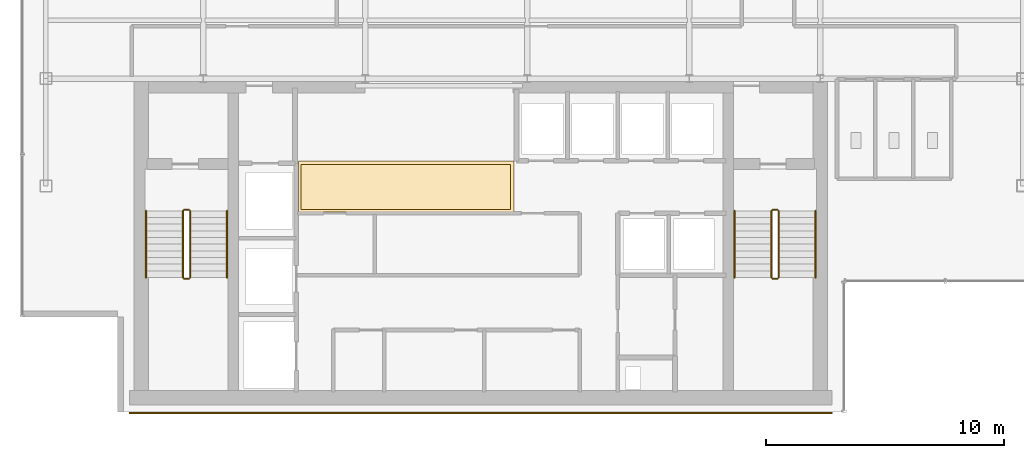
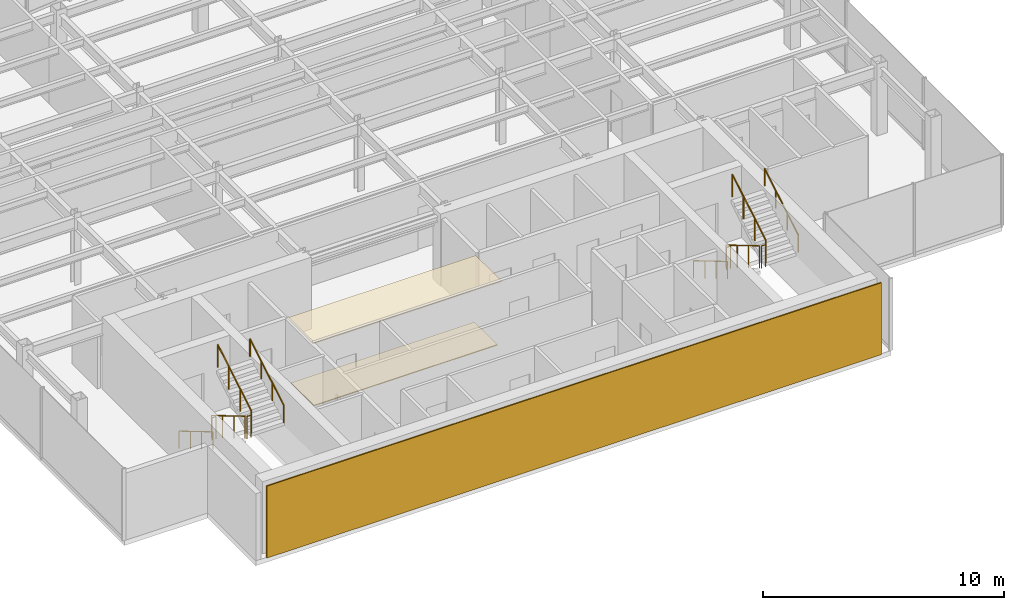
# One storey, part 20 of 22: 12 railings, 3 coverings.
"""IFC4 building model written with IfcOpenShell, lengths in metres."""

import ifcopenshell
import ifcopenshell.guid

model = None  # the IFC model being written
_history = None  # IfcOwnerHistory: only IFC2X3 demands one
_inside = {}  # id of a spatial element -> (the spatial element, [elements in it])
_under = {}  # id of a project, library or spatial element -> (it, [spatial elements below it])
_declared = {}  # id of a project -> (the project, [libraries it declares])
_typed = {}  # id of a type object -> (the type object, [elements of that type])
_made_of = {}  # id of a material, layer set ... -> (it, [elements and type objects made of it])


def new_model(schema):
    """Start an empty IFC model of exactly this schema.

    Asked for "IFC4X3", IfcOpenShell would pick the latest addendum, in which some entities
    have other attributes; the version numbers below select the first issue.
    IFC2X3 requires an IfcOwnerHistory on every rooted entity: one is made here for all.
    """
    global model, _history
    if schema == "IFC4X3":
        model = ifcopenshell.file(schema_version=(4, 3, 0, 0))
    else:
        model = ifcopenshell.file(schema=schema)
    _inside.clear()
    _under.clear()
    _declared.clear()
    _typed.clear()
    _made_of.clear()
    _history = None
    if model.schema == "IFC2X3":
        org = make("IfcOrganization", Name="unknown")
        user = make(
            "IfcPersonAndOrganization",
            ThePerson=make("IfcPerson", FamilyName="unknown"),
            TheOrganization=org,
        )
        app = make(
            "IfcApplication",
            ApplicationDeveloper=org,
            Version="unknown",
            ApplicationFullName="unknown",
            ApplicationIdentifier="unknown",
        )
        _history = make(
            "IfcOwnerHistory",
            OwningUser=user,
            OwningApplication=app,
            ChangeAction="ADDED",
            CreationDate=0,
        )
    return model


def make(cls, **values):
    """One entity of the class cls with the attributes given. An attribute that is None is left unset."""
    return model.create_entity(
        cls, **{name: value for name, value in values.items() if value is not None}
    )


def rooted(cls, **values):
    """An entity with a GlobalId (a new one), such as an element, a storey or a relation."""
    return make(cls, GlobalId=ifcopenshell.guid.new(), OwnerHistory=_history, **values)


def si_unit(unit_type, name, prefix=None):
    """IfcSIUnit, for example si_unit("LENGTHUNIT", "METRE", prefix="MILLI")."""
    return make("IfcSIUnit", UnitType=unit_type, Prefix=prefix, Name=name)


def derived_unit(unit_type, elements):
    """IfcDerivedUnit: a product of units, each with its exponent."""
    return make(
        "IfcDerivedUnit",
        Elements=[
            make("IfcDerivedUnitElement", Unit=unit, Exponent=power)
            for unit, power in elements
        ],
        UnitType=unit_type,
    )


def assignment(units):
    """IfcUnitAssignment: the units of a project."""
    return None if units is None else make("IfcUnitAssignment", Units=units)


def point(xyz):
    """IfcCartesianPoint."""
    return None if xyz is None else make("IfcCartesianPoint", Coordinates=xyz)


def direction(xyz):
    """IfcDirection."""
    return None if xyz is None else make("IfcDirection", DirectionRatios=xyz)


def frame(location, z_axis=None, x_axis=None):
    """IfcAxis2Placement3D, a coordinate frame: its origin and axes. An axis left out is left unset."""
    return make(
        "IfcAxis2Placement3D",
        Location=point(location),
        Axis=direction(z_axis),
        RefDirection=direction(x_axis),
    )


def frame_2d(location, x_axis=None):
    """IfcAxis2Placement2D, a coordinate frame in the plane: its origin and x axis."""
    return make(
        "IfcAxis2Placement2D", Location=point(location), RefDirection=direction(x_axis)
    )


def origin():
    """The frame at (0, 0, 0) with its axes left unset."""
    return frame((0.0, 0.0, 0.0))


def origin_2d():
    """The frame at (0, 0) in the plane with its x axis left unset."""
    return frame_2d((0.0, 0.0))


def place(relative_to, where):
    """IfcLocalPlacement: puts the frame where relative to a parent placement (None: the world)."""
    return make(
        "IfcLocalPlacement", PlacementRelTo=relative_to, RelativePlacement=where
    )


def context(
    kind, dimensions, precision=None, world=None, true_north=None, identifier=None
):
    """IfcGeometricRepresentationContext, for example the 3D "Model" context."""
    return make(
        "IfcGeometricRepresentationContext",
        ContextIdentifier=identifier,
        ContextType=kind,
        CoordinateSpaceDimension=dimensions,
        Precision=precision,
        WorldCoordinateSystem=world,
        TrueNorth=true_north,
    )


def subcontext(parent, identifier, kind, view, scale=None):
    """IfcGeometricRepresentationSubContext, for example "Body" below "Model"."""
    return make(
        "IfcGeometricRepresentationSubContext",
        ContextIdentifier=identifier,
        ContextType=kind,
        ParentContext=parent,
        TargetScale=scale,
        TargetView=view,
    )


def project(units=None, contexts=None):
    """IfcProject with its units and contexts."""
    return rooted(
        "IfcProject",
        Name="project",
        RepresentationContexts=contexts,
        UnitsInContext=assignment(units),
    )


def spatial(cls, under=None, at=None, **own):
    """A site, building, storey or space (cls), placed at a placement, below another one or the project."""
    s = rooted(cls, ObjectPlacement=at, **own)
    if under is not None:
        _under.setdefault(under.id(), (under, []))[1].append(s)
    return s


def polyline(points):
    """IfcPolyline through the points."""
    return make("IfcPolyline", Points=[point(p) for p in points])


def profile(cls, at=None, kind="AREA", **sizes):
    """A parametric profile (cls). Its sizes go by their IFC names, for example OverallWidth=200.0."""
    return make(cls, ProfileType=kind, Position=at, **sizes)


def rectangle(**sizes):
    """IfcRectangleProfileDef."""
    return profile("IfcRectangleProfileDef", **sizes)


def circle(**sizes):
    """IfcCircleProfileDef."""
    return profile("IfcCircleProfileDef", **sizes)


def outline(outer, holes=None, kind="AREA"):
    """IfcArbitraryClosedProfileDef: a profile drawn as a closed curve; with holes, ...WithVoids."""
    if holes is None:
        return make("IfcArbitraryClosedProfileDef", ProfileType=kind, OuterCurve=outer)
    return make(
        "IfcArbitraryProfileDefWithVoids",
        ProfileType=kind,
        OuterCurve=outer,
        InnerCurves=holes,
    )


def extrude(swept, where, along, depth):
    """IfcExtrudedAreaSolid: the profile swept, set in the frame where, extruded along a direction by depth."""
    return make(
        "IfcExtrudedAreaSolid",
        SweptArea=swept,
        Position=where,
        ExtrudedDirection=direction(along),
        Depth=depth,
    )


def shape(context_of_items, identifier, shape_type, items):
    """IfcShapeRepresentation: the items that make up one representation, for example the "Body"."""
    return make(
        "IfcShapeRepresentation",
        ContextOfItems=context_of_items,
        RepresentationIdentifier=identifier,
        RepresentationType=shape_type,
        Items=items,
    )


def source(mapping_origin, context_of_items, identifier, shape_type, items):
    """IfcRepresentationMap: a shape defined once, which mapped items show again and again."""
    return make(
        "IfcRepresentationMap",
        MappingOrigin=mapping_origin,
        MappedRepresentation=shape(context_of_items, identifier, shape_type, items),
    )


def transform(
    local_origin,
    x_axis=None,
    y_axis=None,
    z_axis=None,
    scale=None,
    scale2=None,
    scale3=None,
    uniform=True,
):
    """IfcCartesianTransformationOperator3D, or its non-uniform kind. x_axis, y_axis, z_axis: its Axis1, 2, 3."""
    if uniform:
        return make(
            "IfcCartesianTransformationOperator3D",
            Axis1=direction(x_axis),
            Axis2=direction(y_axis),
            LocalOrigin=point(local_origin),
            Scale=scale,
            Axis3=direction(z_axis),
        )
    return make(
        "IfcCartesianTransformationOperator3DnonUniform",
        Axis1=direction(x_axis),
        Axis2=direction(y_axis),
        LocalOrigin=point(local_origin),
        Scale=scale,
        Axis3=direction(z_axis),
        Scale2=scale2,
        Scale3=scale3,
    )


def mapped(mapping_source, mapping_target):
    """IfcMappedItem: shows the shape of a source again, moved by a transform."""
    return make(
        "IfcMappedItem", MappingSource=mapping_source, MappingTarget=mapping_target
    )


def material(Name=None, Category=None):
    """IfcMaterial."""
    return make("IfcMaterial", Name=Name, Category=Category)


def layer(
    of_material, thickness, ventilated=None, Name=None, Category=None, Priority=None
):
    """IfcMaterialLayer: one layer of a wall or slab, of a material (None: an air gap)."""
    return make(
        "IfcMaterialLayer",
        Material=of_material,
        LayerThickness=thickness,
        IsVentilated=ventilated,
        Name=Name,
        Category=Category,
        Priority=Priority,
    )


def layer_set(layers, Name=None):
    """IfcMaterialLayerSet."""
    return make("IfcMaterialLayerSet", MaterialLayers=layers, LayerSetName=Name)


def made_of(thing, what):
    """Note that an element or type object is made of a material, layer set ...; save() writes the relation."""
    if what is not None:
        _made_of.setdefault(what.id(), (what, []))[1].append(thing)
    return thing


def type_object(cls, material=None, **own):
    """A type object (cls), such as IfcWallType, which elements share."""
    return made_of(rooted(cls, **own), material)


def element(
    cls,
    number,
    at=None,
    inside=None,
    cuts=None,
    type_object=None,
    material=None,
    context=None,
    identifier="Body",
    shape_type=None,
    held_by="IfcProductDefinitionShape",
    body=None,
    shapes=None,
    **own,
):
    """One element of the class cls, such as IfcWall. Its Tag is "e" and its number.

    at: its placement. inside: the storey or other place that contains it. cuts: it is an
    opening in that element (IfcRelVoidsElement). A single representation is given by context,
    identifier, shape_type and body (its items); several are given by shapes. held_by: the class
    of the entity that holds the representations. save() writes the other relations.
    """
    e = rooted(cls, Tag="e%d" % number, ObjectPlacement=at, **own)
    if body is not None:
        shapes = [shape(context, identifier, shape_type, body)]
    if shapes is not None:
        e.Representation = make(held_by, Representations=shapes)
    if inside is not None:
        _inside.setdefault(inside.id(), (inside, []))[1].append(e)
    if cuts is not None:
        rooted(
            "IfcRelVoidsElement", RelatingBuildingElement=cuts, RelatedOpeningElement=e
        )
    if type_object is not None:
        _typed.setdefault(type_object.id(), (type_object, []))[1].append(e)
    return made_of(e, material)


def aggregate(whole, parts):
    """IfcRelAggregates: a whole, such as a stair, and the parts it consists of."""
    return rooted("IfcRelAggregates", RelatingObject=whole, RelatedObjects=parts)


def save(model, path):
    """Write the relations noted so far, then the file.

    IfcRelAggregates (storeys below a building ...), IfcRelContainedInSpatialStructure (elements
    in a storey), IfcRelDefinesByType, IfcRelAssociatesMaterial and IfcRelDeclares: one each for
    every whole, place, type object, material and project.
    """
    for whole, parts in _under.values():
        aggregate(whole, parts)
    for where, things in _inside.values():
        rooted(
            "IfcRelContainedInSpatialStructure",
            RelatedElements=things,
            RelatingStructure=where,
        )
    for kind, things in _typed.values():
        rooted("IfcRelDefinesByType", RelatedObjects=things, RelatingType=kind)
    for what, things in _made_of.values():
        rooted("IfcRelAssociatesMaterial", RelatedObjects=things, RelatingMaterial=what)
    for by, libraries in _declared.values():
        rooted("IfcRelDeclares", RelatingContext=by, RelatedDefinitions=libraries)
    model.write(path)


model = new_model("IFC4")

# Units and contexts
model_context = context("Model", 3, precision=1e-05, world=origin(), true_north=direction((0.0, 1.0)))
body_context = subcontext(model_context, "Body", "Model", "MODEL_VIEW")
ifc_project = project(units=[si_unit("LENGTHUNIT", "METRE"), si_unit("AREAUNIT", "SQUARE_METRE"), si_unit("VOLUMEUNIT", "CUBIC_METRE"), si_unit("PLANEANGLEUNIT", "RADIAN"), si_unit("MASSUNIT", "GRAM", prefix="KILO"), derived_unit("THERMALTRANSMITTANCEUNIT", [(si_unit("POWERUNIT", "WATT"), 1), (si_unit("LENGTHUNIT", "METRE"), -2), (si_unit("THERMODYNAMICTEMPERATUREUNIT", "KELVIN"), -1)])], contexts=[model_context])

# Site, building, storey
site_placement = place(None, origin())
site = spatial("IfcSite", under=ifc_project, at=site_placement, CompositionType="ELEMENT")
building_placement = place(site_placement, origin())
building = spatial("IfcBuilding", under=site, at=building_placement, Name="Skarnbrae Concourse Arena and Tower", CompositionType="ELEMENT")
storey_placement = place(building_placement, frame((0.0, 0.0, 221.449951171875)))
storey = spatial("IfcBuildingStorey", under=building, at=storey_placement, Name="L57", CompositionType="ELEMENT", Elevation=221.449951171875)

# Coverings
ifc_material_1 = material(Name="Mineral fibre acoustic ceiling tile", Category="other")
ifc_layer_1 = layer(ifc_material_1, 0.0400390625)
ifc_layer_set_1 = layer_set([ifc_layer_1], Name="Mineral fibre acoustic ceiling tile")
covering_type_1 = type_object("IfcCoveringType", Name="COV-CEIL-ACOUSTIC", PredefinedType="CEILING", material=ifc_layer_set_1)
covering_1_placement = place(storey_placement, frame((0.0, 0.0, 3.239990234375)))
element("IfcCovering", 1, at=covering_1_placement, inside=storey, type_object=covering_type_1, Name="L57 Lift lobby acoustic ceiling", PredefinedType="CEILING", context=body_context, shape_type="SweptSolid", body=[
    extrude(outline(polyline([(11.60009765625, 8.39990234375), (20.64990234375, 8.39990234375), (20.64990234375, 10.550048828125), (11.60009765625, 10.550048828125), (11.60009765625, 8.39990234375)])), origin(), (0.0, 0.0, 1.0), 0.0400390625),
])
ifc_material_2 = material(Name="Polished granite terrazzo flooring", Category="masonry")
ifc_layer_2 = layer(ifc_material_2, 0.0400390625)
ifc_layer_set_2 = layer_set([ifc_layer_2], Name="Polished granite terrazzo flooring")
covering_type_2 = type_object("IfcCoveringType", Name="COV-FLOOR-TERRAZZO", PredefinedType="FLOORING", material=ifc_layer_set_2)
covering_2_placement = place(storey_placement, origin())
element("IfcCovering", 2, at=covering_2_placement, inside=storey, type_object=covering_type_2, Name="L57 Lift lobby terrazzo flooring", PredefinedType="FLOORING", context=body_context, shape_type="SweptSolid", body=[
    extrude(outline(polyline([(11.699951171875, 8.5), (20.5, 8.5), (20.5, 10.39990234375), (11.699951171875, 10.39990234375), (11.699951171875, 8.5)])), origin(), (0.0, 0.0, 1.0), 0.0400390625),
])

# Railings
ifc_material_3 = material(Name="Steel CSA G40.21 350W", Category="steel")
railing_type_1 = type_object("IfcRailingType", Name="RAIL-HANDRAIL-900", PredefinedType="HANDRAIL", material=ifc_material_3)
railing_1_placement = place(storey_placement, frame((5.199951171875, 8.449951171875, 0.166015625)))
element("IfcRailing", 3, at=railing_1_placement, inside=storey, type_object=railing_type_1, Name="L57 ST-1 stair handrail 1", PredefinedType="HANDRAIL", context=body_context, shape_type="SweptSolid", body=[
    extrude(circle(Radius=0.02392578125, at=origin_2d()), frame((0.0, 0.0, 0.8759765625), z_axis=(0.0, -0.860339051648, 0.50972219513), x_axis=(1.0, 0.0, 0.0)), (0.0, 0.0, 1.0), 3.254638671875),
    extrude(circle(Radius=0.02099609375, at=origin_2d()), origin(), (0.0, 0.0, 1.0), 0.851806640625),
    extrude(circle(Radius=0.02099609375, at=origin_2d()), frame((0.0, -0.933349609375, 0.552978515625)), (0.0, 0.0, 1.0), 0.851806640625),
    extrude(circle(Radius=0.02099609375, at=origin_2d()), frame((0.0, -1.86669921875, 1.10595703125)), (0.0, 0.0, 1.0), 0.851806640625),
    extrude(circle(Radius=0.02099609375, at=origin_2d()), frame((0.0, -2.800048828125, 1.658935546875)), (0.0, 0.0, 1.0), 0.851806640625),
])
railing_2_placement = place(storey_placement, frame((8.60009765625, 5.64990234375, 1.990966796875)))
element("IfcRailing", 4, at=railing_2_placement, inside=storey, type_object=railing_type_1, Name="L57 ST-1 stair handrail 2", PredefinedType="HANDRAIL", context=body_context, shape_type="SweptSolid", body=[
    extrude(circle(Radius=0.02392578125, at=origin_2d()), frame((0.0, 0.0, 0.8759765625), z_axis=(0.0, 0.860306154799, 0.50977771628), x_axis=(-1.0, 0.0, 0.0)), (0.0, 0.0, 1.0), 3.254638671875),
    extrude(circle(Radius=0.02099609375, at=origin_2d()), origin(), (0.0, 0.0, 1.0), 0.851806640625),
    extrude(circle(Radius=0.02099609375, at=origin_2d()), frame((0.0, 0.933349609375, 0.552978515625)), (0.0, 0.0, 1.0), 0.851806640625),
    extrude(circle(Radius=0.02099609375, at=origin_2d()), frame((0.0, 1.86669921875, 1.106201171875)), (0.0, 0.0, 1.0), 0.851806640625),
    extrude(circle(Radius=0.02099609375, at=origin_2d()), frame((0.0, 2.800048828125, 1.6591796875)), (0.0, 0.0, 1.0), 0.851806640625),
])
railing_3_placement = place(storey_placement, frame((29.89990234375, 8.449951171875, 0.166015625)))
element("IfcRailing", 5, at=railing_3_placement, inside=storey, type_object=railing_type_1, Name="L57 ST-2 stair handrail 1", PredefinedType="HANDRAIL", context=body_context, shape_type="SweptSolid", body=[
    extrude(circle(Radius=0.02392578125, at=origin_2d()), frame((0.0, 0.0, 0.8759765625), z_axis=(0.0, -0.860339051648, 0.50972219513), x_axis=(1.0, 0.0, 0.0)), (0.0, 0.0, 1.0), 3.254638671875),
    extrude(circle(Radius=0.02099609375, at=origin_2d()), origin(), (0.0, 0.0, 1.0), 0.851806640625),
    extrude(circle(Radius=0.02099609375, at=origin_2d()), frame((0.0, -0.933349609375, 0.552978515625)), (0.0, 0.0, 1.0), 0.851806640625),
    extrude(circle(Radius=0.02099609375, at=origin_2d()), frame((0.0, -1.86669921875, 1.10595703125)), (0.0, 0.0, 1.0), 0.851806640625),
    extrude(circle(Radius=0.02099609375, at=origin_2d()), frame((0.0, -2.800048828125, 1.658935546875)), (0.0, 0.0, 1.0), 0.851806640625),
])
railing_4_placement = place(storey_placement, frame((33.300048828125, 5.64990234375, 1.990966796875)))
element("IfcRailing", 6, at=railing_4_placement, inside=storey, type_object=railing_type_1, Name="L57 ST-2 stair handrail 2", PredefinedType="HANDRAIL", context=body_context, shape_type="SweptSolid", body=[
    extrude(circle(Radius=0.02392578125, at=origin_2d()), frame((0.0, 0.0, 0.8759765625), z_axis=(0.0, 0.860306154799, 0.50977771628), x_axis=(-1.0, 0.0, 0.0)), (0.0, 0.0, 1.0), 3.254638671875),
    extrude(circle(Radius=0.02099609375, at=origin_2d()), origin(), (0.0, 0.0, 1.0), 0.851806640625),
    extrude(circle(Radius=0.02099609375, at=origin_2d()), frame((0.0, 0.933349609375, 0.552978515625)), (0.0, 0.0, 1.0), 0.851806640625),
    extrude(circle(Radius=0.02099609375, at=origin_2d()), frame((0.0, 1.86669921875, 1.106201171875)), (0.0, 0.0, 1.0), 0.851806640625),
    extrude(circle(Radius=0.02099609375, at=origin_2d()), frame((0.0, 2.800048828125, 1.6591796875)), (0.0, 0.0, 1.0), 0.851806640625),
])
railing_type_2 = type_object("IfcRailingType", Name="RAIL-STAIR-GUARD-1150", PredefinedType="GUARDRAIL", material=ifc_material_3)
railing_5_placement = place(storey_placement, frame((6.75, 8.449951171875, 0.166015625)))
element("IfcRailing", 7, at=railing_5_placement, inside=storey, type_object=railing_type_2, Name="L57 ST-1 stair guard 1", PredefinedType="GUARDRAIL", context=body_context, shape_type="SweptSolid", body=[
    extrude(circle(Radius=0.02392578125, at=origin_2d()), frame((0.0, 0.0, 1.1259765625), z_axis=(0.0, -0.860339051648, 0.50972219513), x_axis=(1.0, 0.0, 0.0)), (0.0, 0.0, 1.0), 3.254638671875),
    extrude(circle(Radius=0.02099609375, at=origin_2d()), origin(), (0.0, 0.0, 1.0), 1.101806640625),
    extrude(circle(Radius=0.02099609375, at=origin_2d()), frame((0.0, -0.933349609375, 0.552978515625)), (0.0, 0.0, 1.0), 1.101806640625),
    extrude(circle(Radius=0.02099609375, at=origin_2d()), frame((0.0, -1.86669921875, 1.10595703125)), (0.0, 0.0, 1.0), 1.101806640625),
    extrude(circle(Radius=0.02099609375, at=origin_2d()), frame((0.0, -2.800048828125, 1.658935546875)), (0.0, 0.0, 1.0), 1.101806640625),
])
railing_6_placement = place(storey_placement, frame((6.800048828125, 5.60009765625, 1.824951171875)))
element("IfcRailing", 8, at=railing_6_placement, inside=storey, type_object=railing_type_2, Name="L57 ST-1 stair guard 2", PredefinedType="GUARDRAIL", context=body_context, shape_type="SweptSolid", body=[
    extrude(circle(Radius=0.02392578125, at=origin_2d()), frame((0.0, 0.0, 1.1259765625), z_axis=(1.0, 0.0, 0.0), x_axis=(0.0, 1.0, 0.0)), (0.0, 0.0, 1.0), 0.199951171875),
    extrude(circle(Radius=0.02099609375, at=origin_2d()), origin(), (0.0, 0.0, 1.0), 1.101806640625),
    extrude(circle(Radius=0.02099609375, at=origin_2d()), frame((0.199951171875, 0.0, 0.0)), (0.0, 0.0, 1.0), 1.101806640625),
])
railing_7_placement = place(storey_placement, frame((7.050048828125, 5.64990234375, 1.990966796875)))
element("IfcRailing", 9, at=railing_7_placement, inside=storey, type_object=railing_type_2, Name="L57 ST-1 stair guard 3", PredefinedType="GUARDRAIL", context=body_context, shape_type="SweptSolid", body=[
    extrude(circle(Radius=0.02392578125, at=origin_2d()), frame((0.0, 0.0, 1.1259765625), z_axis=(0.0, 0.860306154799, 0.50977771628), x_axis=(-1.0, 0.0, 0.0)), (0.0, 0.0, 1.0), 3.254638671875),
    extrude(circle(Radius=0.02099609375, at=origin_2d()), origin(), (0.0, 0.0, 1.0), 1.101806640625),
    extrude(circle(Radius=0.02099609375, at=origin_2d()), frame((0.0, 0.933349609375, 0.552978515625)), (0.0, 0.0, 1.0), 1.101806640625),
    extrude(circle(Radius=0.02099609375, at=origin_2d()), frame((0.0, 1.86669921875, 1.106201171875)), (0.0, 0.0, 1.0), 1.101806640625),
    extrude(circle(Radius=0.02099609375, at=origin_2d()), frame((0.0, 2.800048828125, 1.6591796875)), (0.0, 0.0, 1.0), 1.101806640625),
])
railing_8_placement = place(storey_placement, frame((6.800048828125, 8.5, 0.0)))
element("IfcRailing", 10, at=railing_8_placement, inside=storey, type_object=railing_type_2, Name="L57 ST-1 stair guard 4", PredefinedType="GUARDRAIL", context=body_context, shape_type="SweptSolid", body=[
    extrude(circle(Radius=0.02392578125, at=origin_2d()), frame((0.0, 0.0, 1.1259765625), z_axis=(1.0, 0.0, 0.0), x_axis=(0.0, 1.0, 0.0)), (0.0, 0.0, 1.0), 0.199951171875),
    extrude(circle(Radius=0.02099609375, at=origin_2d()), origin(), (0.0, 0.0, 1.0), 1.101806640625),
    extrude(circle(Radius=0.02099609375, at=origin_2d()), frame((0.199951171875, 0.0, 0.0)), (0.0, 0.0, 1.0), 1.101806640625),
])
railing_9_placement = place(storey_placement, frame((31.449951171875, 8.449951171875, 0.166015625)))
element("IfcRailing", 11, at=railing_9_placement, inside=storey, type_object=railing_type_2, Name="L57 ST-2 stair guard 1", PredefinedType="GUARDRAIL", context=body_context, shape_type="SweptSolid", body=[
    extrude(circle(Radius=0.02392578125, at=origin_2d()), frame((0.0, 0.0, 1.1259765625), z_axis=(0.0, -0.860339051648, 0.50972219513), x_axis=(1.0, 0.0, 0.0)), (0.0, 0.0, 1.0), 3.254638671875),
    extrude(circle(Radius=0.02099609375, at=origin_2d()), origin(), (0.0, 0.0, 1.0), 1.101806640625),
    extrude(circle(Radius=0.02099609375, at=origin_2d()), frame((0.0, -0.933349609375, 0.552978515625)), (0.0, 0.0, 1.0), 1.101806640625),
    extrude(circle(Radius=0.02099609375, at=origin_2d()), frame((0.0, -1.86669921875, 1.10595703125)), (0.0, 0.0, 1.0), 1.101806640625),
    extrude(circle(Radius=0.02099609375, at=origin_2d()), frame((0.0, -2.800048828125, 1.658935546875)), (0.0, 0.0, 1.0), 1.101806640625),
])
railing_10_placement = place(storey_placement, frame((31.5, 5.60009765625, 1.824951171875)))
element("IfcRailing", 12, at=railing_10_placement, inside=storey, type_object=railing_type_2, Name="L57 ST-2 stair guard 2", PredefinedType="GUARDRAIL", context=body_context, shape_type="SweptSolid", body=[
    extrude(circle(Radius=0.02392578125, at=origin_2d()), frame((0.0, 0.0, 1.1259765625), z_axis=(1.0, 0.0, 0.0), x_axis=(0.0, 1.0, 0.0)), (0.0, 0.0, 1.0), 0.199951171875),
    extrude(circle(Radius=0.02099609375, at=origin_2d()), origin(), (0.0, 0.0, 1.0), 1.101806640625),
    extrude(circle(Radius=0.02099609375, at=origin_2d()), frame((0.199951171875, 0.0, 0.0)), (0.0, 0.0, 1.0), 1.101806640625),
])
railing_11_placement = place(storey_placement, frame((31.75, 5.64990234375, 1.990966796875)))
element("IfcRailing", 13, at=railing_11_placement, inside=storey, type_object=railing_type_2, Name="L57 ST-2 stair guard 3", PredefinedType="GUARDRAIL", context=body_context, shape_type="SweptSolid", body=[
    extrude(circle(Radius=0.02392578125, at=origin_2d()), frame((0.0, 0.0, 1.1259765625), z_axis=(0.0, 0.860306154799, 0.50977771628), x_axis=(-1.0, 0.0, 0.0)), (0.0, 0.0, 1.0), 3.254638671875),
    extrude(circle(Radius=0.02099609375, at=origin_2d()), origin(), (0.0, 0.0, 1.0), 1.101806640625),
    extrude(circle(Radius=0.02099609375, at=origin_2d()), frame((0.0, 0.933349609375, 0.552978515625)), (0.0, 0.0, 1.0), 1.101806640625),
    extrude(circle(Radius=0.02099609375, at=origin_2d()), frame((0.0, 1.86669921875, 1.106201171875)), (0.0, 0.0, 1.0), 1.101806640625),
    extrude(circle(Radius=0.02099609375, at=origin_2d()), frame((0.0, 2.800048828125, 1.6591796875)), (0.0, 0.0, 1.0), 1.101806640625),
])
railing_12_placement = place(storey_placement, frame((31.5, 8.5, 0.0)))
element("IfcRailing", 14, at=railing_12_placement, inside=storey, type_object=railing_type_2, Name="L57 ST-2 stair guard 4", PredefinedType="GUARDRAIL", context=body_context, shape_type="SweptSolid", body=[
    extrude(circle(Radius=0.02392578125, at=origin_2d()), frame((0.0, 0.0, 1.1259765625), z_axis=(1.0, 0.0, 0.0), x_axis=(0.0, 1.0, 0.0)), (0.0, 0.0, 1.0), 0.199951171875),
    extrude(circle(Radius=0.02099609375, at=origin_2d()), origin(), (0.0, 0.0, 1.0), 1.101806640625),
    extrude(circle(Radius=0.02099609375, at=origin_2d()), frame((0.199951171875, 0.0, 0.0)), (0.0, 0.0, 1.0), 1.101806640625),
])

# Covering
ifc_material_4 = material(Name="Bronze anodised aluminium 6063-T6", Category="aluminium")
ifc_layer_3 = layer(ifc_material_4, 0.06005859375)
ifc_layer_set_3 = layer_set([ifc_layer_3], Name="Bronze anodised aluminium 6063-T6")
covering_type_3 = type_object("IfcCoveringType", Name="COV-CLAD-BRONZE-60", PredefinedType="CLADDING", material=ifc_layer_set_3)
shared_shape = source(origin(), body_context, "Body", "SweptSolid", [
    extrude(rectangle(XDim=29.5, YDim=0.06005859375, at=origin_2d()), origin(), (0.0, 0.0, 1.0), 3.64990234375),
])
covering_3_placement = place(storey_placement, frame((19.25, -0.030029296875, 0.0), z_axis=(0.0, 0.0, 1.0), x_axis=(1.0, 0.0, 0.0)))
element("IfcCovering", 15, at=covering_3_placement, inside=storey, type_object=covering_type_3, Name="L57 Rear-core plumb spine bronze rainscreen panel", PredefinedType="CLADDING", context=body_context, shape_type="MappedRepresentation", body=[
    mapped(shared_shape, transform((0.0, 0.0, 0.0))),
])

save(model, "model.ifc")
